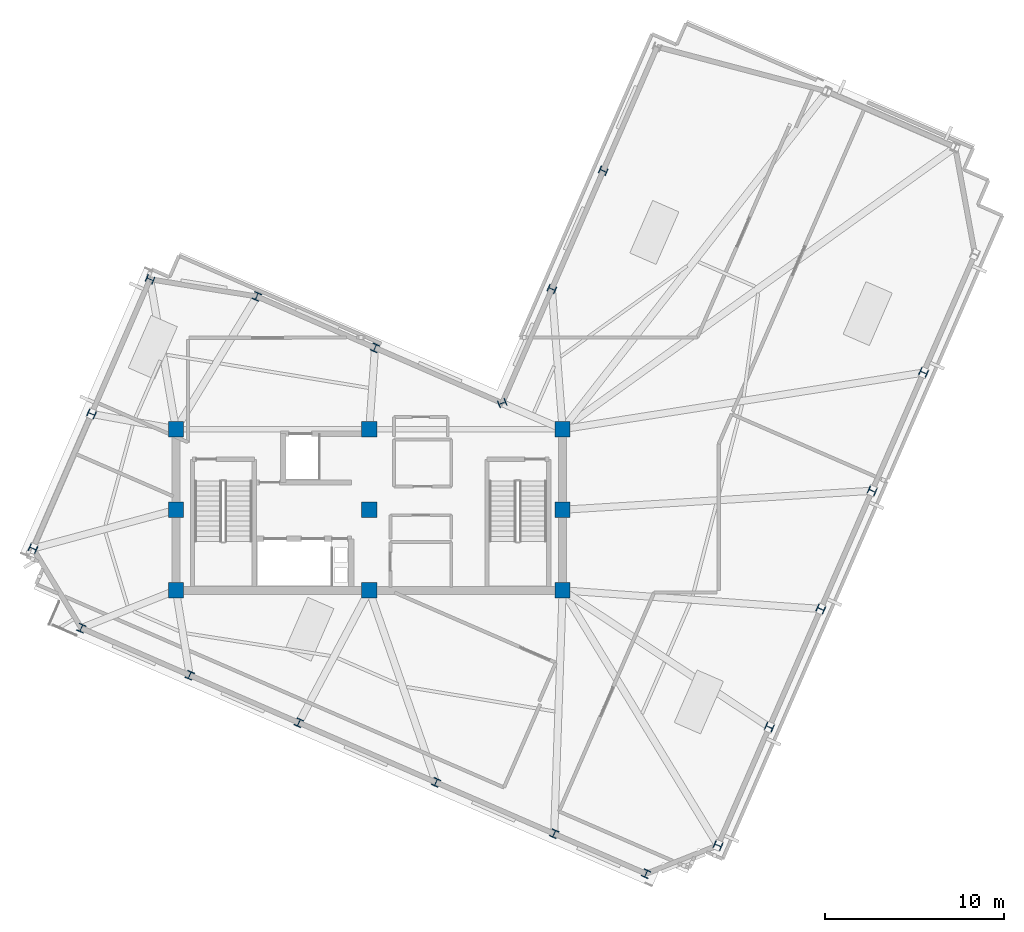
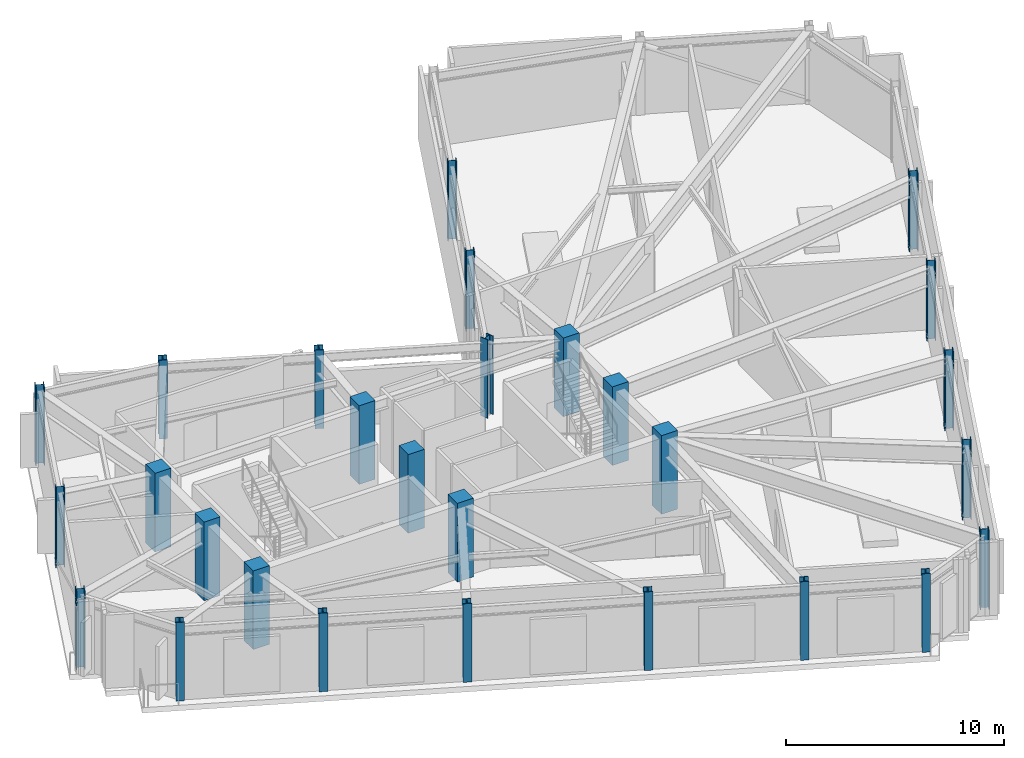
# One storey, part 1 of 11: 28 columns.
"""IFC4 building model written with IfcOpenShell, lengths in metres."""

from ifc_helpers import new_model, si_unit, direction, frame, origin, origin_2d, place, context, subcontext, project, spatial, rectangle, i_section, extrude, material, material_profile, profile_set, type_object, element, save


model = new_model("IFC4")

# Units and contexts
model_context = context("Model", 3, precision=1e-05, world=origin(), true_north=direction((0.0, 1.0)))
body_context = subcontext(model_context, "Body", "Model", "MODEL_VIEW")
ifc_project = project(units=[si_unit("LENGTHUNIT", "METRE"), si_unit("AREAUNIT", "SQUARE_METRE"), si_unit("VOLUMEUNIT", "CUBIC_METRE"), si_unit("PLANEANGLEUNIT", "RADIAN"), si_unit("MASSUNIT", "GRAM", prefix="KILO")], contexts=[model_context])

# Site, building, storey
site_placement = place(None, origin())
site = spatial("IfcSite", under=ifc_project, at=site_placement, CompositionType="ELEMENT")
building_placement = place(site_placement, origin())
building = spatial("IfcBuilding", under=site, at=building_placement, Name="Gaonmaruhae Medical Tower", CompositionType="ELEMENT")
storey_placement = place(building_placement, frame((0.0, 0.0, 338.199951171875)))
storey = spatial("IfcBuildingStorey", under=building, at=storey_placement, Name="L81", CompositionType="ELEMENT", Elevation=338.199951171875)

# Columns
ifc_material_1 = material(Name="Concrete C50/60", Category="concrete")
ifc_material_profile_1 = material_profile(ifc_material_1, rectangle(XDim=0.85009765625, YDim=0.85009765625, at=origin_2d()), Name="RC-850x850")
ifc_profile_set_1 = profile_set([ifc_material_profile_1], Name="Concrete C50/60")
column_type_1 = type_object("IfcColumnType", Name="CC-06 Upper Core Column (RC-850x850)", PredefinedType="COLUMN", material=ifc_profile_set_1)
for number, where, z_axis, x_axis, name in (
    (1, (14.0, 7.800048828125, 0.0), (0.0, 0.0, 1.0), (1.0, 0.0, 0.0), "L81 Plumb Core Column CC11"),
    (2, (14.0, 12.300048828125, 0.0), (0.0, 0.0, 1.0), (1.0, 0.0, 0.0), "L81 Plumb Core Column CC12"),
    (3, (14.0, 16.800048828125, 0.0), (0.0, 0.0, 1.0), (1.0, 0.0, 0.0), "L81 Plumb Core Column CC13"),
    (4, (24.800048828125, 7.800048828125, 0.0), (0.0, 0.0, 1.0), (1.0, 0.0, 0.0), "L81 Plumb Core Column CC21"),
    (5, (24.800048828125, 12.300048828125, 0.0), (0.0, 0.0, 1.0), (1.0, 0.0, 0.0), "L81 Plumb Core Column CC22"),
    (6, (24.800048828125, 16.800048828125, 0.0), (0.0, 0.0, 1.0), (1.0, 0.0, 0.0), "L81 Plumb Core Column CC23"),
    (7, (35.60009765625, 7.800048828125, 0.0), (0.0, 0.0, 1.0), (1.0, 0.0, 0.0), "L81 Plumb Core Column CC31"),
    (8, (35.60009765625, 12.300048828125, 0.0), (0.0, 0.0, 1.0), (1.0, 0.0, 0.0), "L81 Plumb Core Column CC32"),
    (9, (35.60009765625, 16.800048828125, 0.0), (0.0, 0.0, 1.0), (1.0, 0.0, 0.0), "L81 Plumb Core Column CC33"),
):
    element("IfcColumn", number, at=place(storey_placement, frame(where, z_axis=z_axis, x_axis=x_axis)), inside=storey, type_object=column_type_1, Name=name, PredefinedType="COLUMN", context=body_context, shape_type="SweptSolid", body=[
        extrude(rectangle(XDim=0.85009765625, YDim=0.85009765625, at=origin_2d()), origin(), (0.0, 0.0, 1.0), 4.400146484375),
    ])
ifc_material_2 = material(Name="Steel SM420", Category="steel")
ifc_material_profile_2 = material_profile(ifc_material_2, i_section(OverallWidth=0.406982421875, OverallDepth=0.427978515625, WebThickness=0.02001953125, FlangeThickness=0.034912109375, FilletRadius=0.02197265625, at=origin_2d()), Name="H-428x407x20x35")
ifc_profile_set_2 = profile_set([ifc_material_profile_2], Name="Steel SM420")
column_type_2 = type_object("IfcColumnType", Name="SC-01 Crown Plant Steel Column (H-428x407x20x35)", PredefinedType="COLUMN", material=ifc_profile_set_2)
for number, where, z_axis, x_axis, name in (
    (10, (44.275146484375, -6.448486328125, 0.001953125), (0.0, 0.0, 1.0), (0.398749068925, 0.917060074385, 0.0), "L81 Perimeter Tube Column S01"),
    (11, (47.14599609375, 0.154296875, 0.001953125), (0.0, 0.0, 1.0), (0.398749068925, 0.917060074385, 0.0), "L81 Perimeter Tube Column S02"),
    (12, (50.01708984375, 6.75732421875, 0.001953125), (0.0, 0.0, 1.0), (0.398749068925, 0.917060074385, 0.0), "L81 Perimeter Tube Column S03"),
    (13, (52.88818359375, 13.360107421875, 0.001953125), (0.0, 0.0, 1.0), (0.398749068925, 0.917060074385, 0.0), "L81 Perimeter Tube Column S04"),
    (14, (55.759033203125, 19.962890625, 0.001953125), (0.0, 0.0, 1.0), (0.398749068925, 0.917060074385, 0.0), "L81 Perimeter Tube Column S05"),
    (15, (37.868408203125, 31.2314453125, 0.001953125), (0.0, 0.0, 1.0), (0.398749068925, 0.917060074385, 0.0), "L81 Perimeter Tube Column EN01"),
    (16, (34.99755859375, 24.62841796875, 0.001953125), (0.0, 0.0, 1.0), (0.398749068925, 0.917060074385, 0.0), "L81 Perimeter Tube Column EN02"),
    (17, (32.226318359375, 18.2548828125, 0.001953125), (0.0, 0.0, 1.0), (-0.366501226724, 0.930417567982, 0.0), "L81 Perimeter Tube Column KN01"),
    (18, (25.118896484375, 21.34521484375, 0.001953125), (0.0, 0.0, 1.0), (-0.917060074385, 0.398749068925, 0.0), "L81 Perimeter Tube Column NE01"),
    (19, (18.51611328125, 24.21630859375, 0.001953125), (0.0, 0.0, 1.0), (-0.917060074385, 0.398749068925, 0.0), "L81 Perimeter Tube Column NE02"),
    (20, (12.55322265625, 25.17333984375, 0.001953125), (0.0, 0.0, 1.0), (0.398749068925, 0.917060074385, 0.0), "L81 Perimeter Tube Column N01"),
    (21, (9.283447265625, 17.653564453125, 0.001953125), (0.0, 0.0, 1.0), (0.398749068925, 0.917060074385, 0.0), "L81 Perimeter Tube Column N02"),
    (22, (6.013671875, 10.133544921875, 0.001953125), (0.0, 0.0, 1.0), (0.398749068925, 0.917060074385, 0.0), "L81 Perimeter Tube Column N03"),
    (23, (8.715087890625, 5.687744140625, 0.001953125), (0.0, 0.0, 1.0), (-0.917060074385, 0.398749068925, 0.0), "L81 Perimeter Tube Column W01"),
    (24, (14.767578125, 3.055908203125, 0.001953125), (0.0, 0.0, 1.0), (-0.917060074385, 0.398749068925, 0.0), "L81 Perimeter Tube Column W02"),
    (25, (20.865966796875, 0.404296875, 0.001953125), (0.0, 0.0, 1.0), (-0.917060074385, 0.398749068925, 0.0), "L81 Perimeter Tube Column W03"),
    (26, (28.5234375, -2.92529296875, 0.001953125), (0.0, 0.0, 1.0), (-0.917060074385, 0.398749068925, 0.0), "L81 Perimeter Tube Column W04"),
    (27, (35.12646484375, -5.79638671875, 0.001953125), (0.0, 0.0, 1.0), (-0.917060074385, 0.398749068925, 0.0), "L81 Perimeter Tube Column W05"),
    (28, (40.261962890625, -8.029296875, 0.001953125), (0.0, 0.0, 1.0), (-0.917060074385, 0.398749068925, 0.0), "L81 Perimeter Tube Column W06"),
):
    element("IfcColumn", number, at=place(storey_placement, frame(where, z_axis=z_axis, x_axis=x_axis)), inside=storey, type_object=column_type_2, Name=name, PredefinedType="COLUMN", context=body_context, shape_type="SweptSolid", body=[
        extrude(i_section(OverallWidth=0.406982421875, OverallDepth=0.427978515625, WebThickness=0.02001953125, FlangeThickness=0.034912109375, FilletRadius=0.02197265625, at=origin_2d()), origin(), (0.0, 0.0, 1.0), 4.396240234375),
    ])

save(model, "model.ifc")
